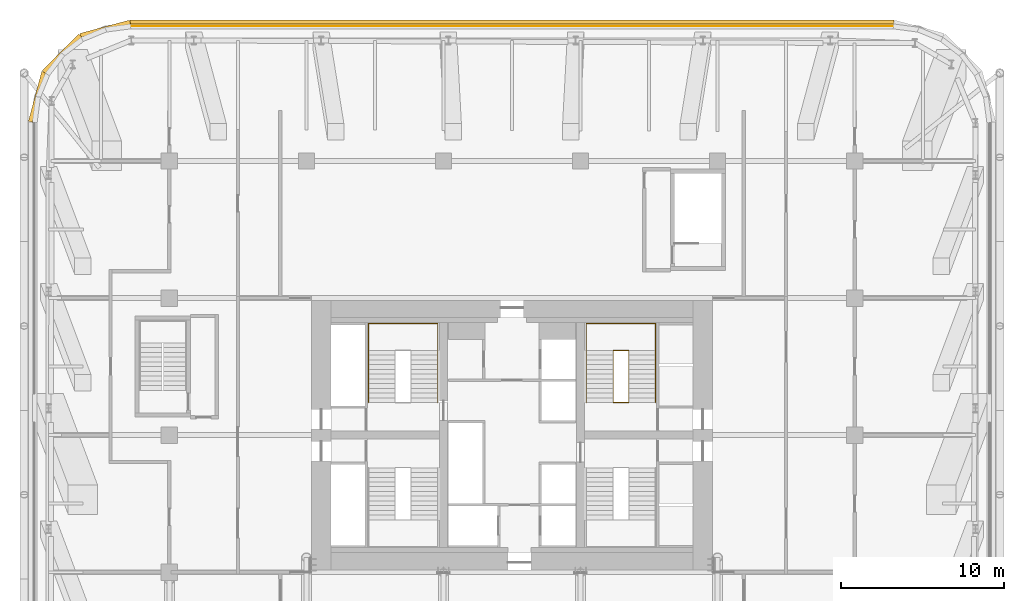
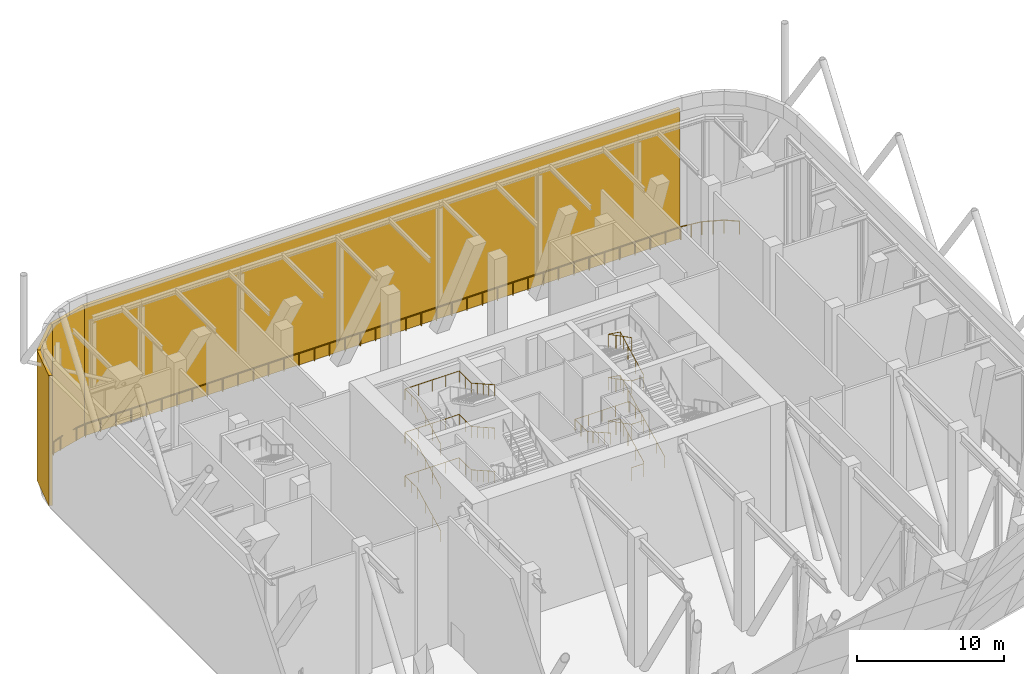
# One storey, part 18 of 19: 8 railings, 4 shading devices.
"""IFC4 building model written with IfcOpenShell, lengths in metres."""

from ifc_helpers import new_model, si_unit, direction, frame, frame_2d, origin, origin_2d, place, context, subcontext, project, spatial, rectangle, circle, extrude, material, layer, layer_set, type_object, element, save


model = new_model("IFC4")

# Units and contexts
model_context = context("Model", 3, precision=1e-05, world=origin(), true_north=direction((0.0, 1.0)))
body_context = subcontext(model_context, "Body", "Model", "MODEL_VIEW")
ifc_project = project(units=[si_unit("LENGTHUNIT", "METRE"), si_unit("AREAUNIT", "SQUARE_METRE"), si_unit("VOLUMEUNIT", "CUBIC_METRE"), si_unit("PLANEANGLEUNIT", "RADIAN"), si_unit("MASSUNIT", "GRAM", prefix="KILO")], contexts=[model_context])

# Site, building, storey
site_placement = place(None, origin())
site = spatial("IfcSite", under=ifc_project, at=site_placement, CompositionType="ELEMENT")
building_placement = place(site_placement, origin())
building = spatial("IfcBuilding", under=site, at=building_placement, Name="Marenta Gate Hotel Tower", CompositionType="ELEMENT")
storey_placement = place(building_placement, frame((0.0, 0.0, 86.89990234375)))
storey = spatial("IfcBuildingStorey", under=building, at=storey_placement, Name="L20", CompositionType="ELEMENT", Elevation=86.89990234375)

# Railings
ifc_material_1 = material(Name="Stainless steel", Category="steel")
railing_type_1 = type_object("IfcRailingType", Name="Core stair handrail 950", PredefinedType="HANDRAIL", material=ifc_material_1)
railing_1_placement = place(storey_placement, frame((-8.800048828125, 10.39990234375, 0.150146484375)))
element("IfcRailing", 1, at=railing_1_placement, inside=storey, type_object=railing_type_1, Name="HR-950 L20-KR-ST2-1", PredefinedType="HANDRAIL", context=body_context, shape_type="SweptSolid", body=[
    extrude(circle(Radius=0.02392578125, at=origin_2d()), frame((0.0, 0.0, 0.92578125), z_axis=(0.0, 0.888239641807, 0.459380385653), x_axis=(-1.0, 0.0, 0.0)), (0.0, 0.0, 1.0), 3.591552734375),
    extrude(circle(Radius=0.02392578125, at=origin_2d()), frame((0.0, 3.190185546875, 2.57568359375), z_axis=(0.0, 1.0, 0.0), x_axis=(-1.0, 0.0, 0.0)), (0.0, 0.0, 1.0), 1.659912109375),
    extrude(circle(Radius=0.02392578125, at=origin_2d()), frame((0.0, 4.85009765625, 2.57568359375), z_axis=(1.0, 0.0, 0.0), x_axis=(0.0, 1.0, 0.0)), (0.0, 0.0, 1.0), 4.25),
    extrude(circle(Radius=0.02392578125, at=origin_2d()), frame((4.25, 4.85009765625, 2.57568359375), z_axis=(0.0, -1.0, 0.0), x_axis=(1.0, 0.0, 0.0)), (0.0, 0.0, 1.0), 1.659912109375),
    extrude(circle(Radius=0.02392578125, at=origin_2d()), frame((4.25, 3.190185546875, 2.57568359375), z_axis=(0.0, -0.870925075533, 0.491415824742), x_axis=(1.0, 0.0, 0.0)), (0.0, 0.0, 1.0), 3.6630859375),
    extrude(circle(Radius=0.02099609375, at=origin_2d()), origin(), (0.0, 0.0, 1.0), 0.90185546875),
    extrude(circle(Radius=0.02099609375, at=origin_2d()), frame((0.0, 1.0634765625, 0.550048828125)), (0.0, 0.0, 1.0), 0.90185546875),
    extrude(circle(Radius=0.02099609375, at=origin_2d()), frame((0.0, 2.126708984375, 1.099853515625)), (0.0, 0.0, 1.0), 0.90185546875),
    extrude(circle(Radius=0.02099609375, at=origin_2d()), frame((0.0, 3.190185546875, 1.64990234375)), (0.0, 0.0, 1.0), 0.90185546875),
    extrude(circle(Radius=0.02099609375, at=origin_2d()), frame((0.0, 4.02001953125, 1.64990234375)), (0.0, 0.0, 1.0), 0.90185546875),
    extrude(circle(Radius=0.02099609375, at=origin_2d()), frame((0.0, 4.85009765625, 1.64990234375)), (0.0, 0.0, 1.0), 0.90185546875),
    extrude(circle(Radius=0.02099609375, at=origin_2d()), frame((1.0625, 4.85009765625, 1.64990234375)), (0.0, 0.0, 1.0), 0.90185546875),
    extrude(circle(Radius=0.02099609375, at=origin_2d()), frame((2.125, 4.85009765625, 1.64990234375)), (0.0, 0.0, 1.0), 0.90185546875),
    extrude(circle(Radius=0.02099609375, at=origin_2d()), frame((3.1875, 4.85009765625, 1.64990234375)), (0.0, 0.0, 1.0), 0.90185546875),
    extrude(circle(Radius=0.02099609375, at=origin_2d()), frame((4.25, 4.85009765625, 1.64990234375)), (0.0, 0.0, 1.0), 0.90185546875),
    extrude(circle(Radius=0.02099609375, at=origin_2d()), frame((4.25, 4.02001953125, 1.64990234375)), (0.0, 0.0, 1.0), 0.90185546875),
    extrude(circle(Radius=0.02099609375, at=origin_2d()), frame((4.25, 3.190185546875, 1.64990234375)), (0.0, 0.0, 1.0), 0.90185546875),
    extrude(circle(Radius=0.02099609375, at=origin_2d()), frame((4.25, 2.392578125, 2.099853515625)), (0.0, 0.0, 1.0), 0.90185546875),
    extrude(circle(Radius=0.02099609375, at=origin_2d()), frame((4.25, 1.59521484375, 2.5498046875)), (0.0, 0.0, 1.0), 0.90185546875),
    extrude(circle(Radius=0.02099609375, at=origin_2d()), frame((4.25, 0.797607421875, 3.0)), (0.0, 0.0, 1.0), 0.90185546875),
    extrude(circle(Radius=0.02099609375, at=origin_2d()), frame((4.25, 0.0, 3.449951171875)), (0.0, 0.0, 1.0), 0.90185546875),
])
railing_2_placement = place(storey_placement, frame((-8.800048828125, 10.39990234375, 3.75)))
element("IfcRailing", 2, at=railing_2_placement, inside=storey, type_object=railing_type_1, Name="HR-950 L20-KR-ST2-3", PredefinedType="HANDRAIL", context=body_context, shape_type="SweptSolid", body=[
    extrude(circle(Radius=0.02392578125, at=origin_2d()), frame((0.0, 0.0, 0.92578125), z_axis=(0.0, 0.888211904222, 0.459434013977), x_axis=(-1.0, 0.0, 0.0)), (0.0, 0.0, 1.0), 3.591796875),
    extrude(circle(Radius=0.02392578125, at=origin_2d()), frame((0.0, 3.190185546875, 2.576171875), z_axis=(0.0, 1.0, 0.0), x_axis=(-1.0, 0.0, 0.0)), (0.0, 0.0, 1.0), 1.659912109375),
    extrude(circle(Radius=0.02392578125, at=origin_2d()), frame((0.0, 4.85009765625, 2.576171875), z_axis=(1.0, 0.0, 0.0), x_axis=(0.0, 1.0, 0.0)), (0.0, 0.0, 1.0), 4.25),
    extrude(circle(Radius=0.02392578125, at=origin_2d()), frame((4.25, 4.85009765625, 2.576171875), z_axis=(0.0, -1.0, 0.0), x_axis=(1.0, 0.0, 0.0)), (0.0, 0.0, 1.0), 1.659912109375),
    extrude(circle(Radius=0.02392578125, at=origin_2d()), frame((4.25, 3.190185546875, 2.576171875), z_axis=(0.0, -0.870925075533, 0.491415824742), x_axis=(1.0, 0.0, 0.0)), (0.0, 0.0, 1.0), 3.6630859375),
    extrude(circle(Radius=0.02099609375, at=origin_2d()), origin(), (0.0, 0.0, 1.0), 0.90185546875),
    extrude(circle(Radius=0.02099609375, at=origin_2d()), frame((0.0, 1.0634765625, 0.550048828125)), (0.0, 0.0, 1.0), 0.90185546875),
    extrude(circle(Radius=0.02099609375, at=origin_2d()), frame((0.0, 2.126708984375, 1.10009765625)), (0.0, 0.0, 1.0), 0.90185546875),
    extrude(circle(Radius=0.02099609375, at=origin_2d()), frame((0.0, 3.190185546875, 1.650146484375)), (0.0, 0.0, 1.0), 0.90185546875),
    extrude(circle(Radius=0.02099609375, at=origin_2d()), frame((0.0, 4.02001953125, 1.650146484375)), (0.0, 0.0, 1.0), 0.90185546875),
    extrude(circle(Radius=0.02099609375, at=origin_2d()), frame((0.0, 4.85009765625, 1.650146484375)), (0.0, 0.0, 1.0), 0.90185546875),
    extrude(circle(Radius=0.02099609375, at=origin_2d()), frame((1.0625, 4.85009765625, 1.650146484375)), (0.0, 0.0, 1.0), 0.90185546875),
    extrude(circle(Radius=0.02099609375, at=origin_2d()), frame((2.125, 4.85009765625, 1.650146484375)), (0.0, 0.0, 1.0), 0.90185546875),
    extrude(circle(Radius=0.02099609375, at=origin_2d()), frame((3.1875, 4.85009765625, 1.650146484375)), (0.0, 0.0, 1.0), 0.90185546875),
    extrude(circle(Radius=0.02099609375, at=origin_2d()), frame((4.25, 4.85009765625, 1.650146484375)), (0.0, 0.0, 1.0), 0.90185546875),
    extrude(circle(Radius=0.02099609375, at=origin_2d()), frame((4.25, 4.02001953125, 1.650146484375)), (0.0, 0.0, 1.0), 0.90185546875),
    extrude(circle(Radius=0.02099609375, at=origin_2d()), frame((4.25, 3.190185546875, 1.650146484375)), (0.0, 0.0, 1.0), 0.90185546875),
    extrude(circle(Radius=0.02099609375, at=origin_2d()), frame((4.25, 2.392578125, 2.10009765625)), (0.0, 0.0, 1.0), 0.90185546875),
    extrude(circle(Radius=0.02099609375, at=origin_2d()), frame((4.25, 1.59521484375, 2.55029296875)), (0.0, 0.0, 1.0), 0.90185546875),
    extrude(circle(Radius=0.02099609375, at=origin_2d()), frame((4.25, 0.797607421875, 3.000244140625)), (0.0, 0.0, 1.0), 0.90185546875),
    extrude(circle(Radius=0.02099609375, at=origin_2d()), frame((4.25, 0.0, 3.4501953125)), (0.0, 0.0, 1.0), 0.90185546875),
])
railing_3_placement = place(storey_placement, frame((-8.800048828125, 10.39990234375, 7.35009765625)))
element("IfcRailing", 3, at=railing_3_placement, inside=storey, type_object=railing_type_1, Name="HR-950 L20-KR-ST2-5", PredefinedType="HANDRAIL", context=body_context, shape_type="SweptSolid", body=[
    extrude(circle(Radius=0.02392578125, at=origin_2d()), frame((0.0, 0.0, 0.92578125), z_axis=(0.0, 0.888239641807, 0.459380385653), x_axis=(-1.0, 0.0, 0.0)), (0.0, 0.0, 1.0), 3.591552734375),
    extrude(circle(Radius=0.02392578125, at=origin_2d()), frame((0.0, 3.190185546875, 2.57568359375), z_axis=(0.0, 1.0, 0.0), x_axis=(-1.0, 0.0, 0.0)), (0.0, 0.0, 1.0), 1.659912109375),
    extrude(circle(Radius=0.02392578125, at=origin_2d()), frame((0.0, 4.85009765625, 2.57568359375), z_axis=(1.0, 0.0, 0.0), x_axis=(0.0, 1.0, 0.0)), (0.0, 0.0, 1.0), 4.25),
    extrude(circle(Radius=0.02392578125, at=origin_2d()), frame((4.25, 4.85009765625, 2.57568359375), z_axis=(0.0, -1.0, 0.0), x_axis=(1.0, 0.0, 0.0)), (0.0, 0.0, 1.0), 1.659912109375),
    extrude(circle(Radius=0.02392578125, at=origin_2d()), frame((4.25, 3.190185546875, 2.57568359375), z_axis=(0.0, -0.870925075533, 0.491415824742), x_axis=(1.0, 0.0, 0.0)), (0.0, 0.0, 1.0), 3.6630859375),
    extrude(circle(Radius=0.02099609375, at=origin_2d()), origin(), (0.0, 0.0, 1.0), 0.90185546875),
    extrude(circle(Radius=0.02099609375, at=origin_2d()), frame((0.0, 1.0634765625, 0.550048828125)), (0.0, 0.0, 1.0), 0.90185546875),
    extrude(circle(Radius=0.02099609375, at=origin_2d()), frame((0.0, 2.126708984375, 1.099853515625)), (0.0, 0.0, 1.0), 0.90185546875),
    extrude(circle(Radius=0.02099609375, at=origin_2d()), frame((0.0, 3.190185546875, 1.64990234375)), (0.0, 0.0, 1.0), 0.90185546875),
    extrude(circle(Radius=0.02099609375, at=origin_2d()), frame((0.0, 4.02001953125, 1.64990234375)), (0.0, 0.0, 1.0), 0.90185546875),
    extrude(circle(Radius=0.02099609375, at=origin_2d()), frame((0.0, 4.85009765625, 1.64990234375)), (0.0, 0.0, 1.0), 0.90185546875),
    extrude(circle(Radius=0.02099609375, at=origin_2d()), frame((1.0625, 4.85009765625, 1.64990234375)), (0.0, 0.0, 1.0), 0.90185546875),
    extrude(circle(Radius=0.02099609375, at=origin_2d()), frame((2.125, 4.85009765625, 1.64990234375)), (0.0, 0.0, 1.0), 0.90185546875),
    extrude(circle(Radius=0.02099609375, at=origin_2d()), frame((3.1875, 4.85009765625, 1.64990234375)), (0.0, 0.0, 1.0), 0.90185546875),
    extrude(circle(Radius=0.02099609375, at=origin_2d()), frame((4.25, 4.85009765625, 1.64990234375)), (0.0, 0.0, 1.0), 0.90185546875),
    extrude(circle(Radius=0.02099609375, at=origin_2d()), frame((4.25, 4.02001953125, 1.64990234375)), (0.0, 0.0, 1.0), 0.90185546875),
    extrude(circle(Radius=0.02099609375, at=origin_2d()), frame((4.25, 3.190185546875, 1.64990234375)), (0.0, 0.0, 1.0), 0.90185546875),
    extrude(circle(Radius=0.02099609375, at=origin_2d()), frame((4.25, 2.392578125, 2.099853515625)), (0.0, 0.0, 1.0), 0.90185546875),
    extrude(circle(Radius=0.02099609375, at=origin_2d()), frame((4.25, 1.59521484375, 2.5498046875)), (0.0, 0.0, 1.0), 0.90185546875),
    extrude(circle(Radius=0.02099609375, at=origin_2d()), frame((4.25, 0.797607421875, 3.0)), (0.0, 0.0, 1.0), 0.90185546875),
    extrude(circle(Radius=0.02099609375, at=origin_2d()), frame((4.25, 0.0, 3.449951171875)), (0.0, 0.0, 1.0), 0.90185546875),
])
railing_4_placement = place(storey_placement, frame((8.800048828125, 10.39990234375, 0.150146484375)))
element("IfcRailing", 4, at=railing_4_placement, inside=storey, type_object=railing_type_1, Name="HR-950 L20-KR-ST4-1", PredefinedType="HANDRAIL", context=body_context, shape_type="SweptSolid", body=[
    extrude(circle(Radius=0.02392578125, at=origin_2d()), frame((0.0, 0.0, 0.92578125), z_axis=(0.0, 0.888239641807, 0.459380385653), x_axis=(-1.0, 0.0, 0.0)), (0.0, 0.0, 1.0), 3.591552734375),
    extrude(circle(Radius=0.02392578125, at=origin_2d()), frame((0.0, 3.190185546875, 2.57568359375), z_axis=(0.0, 1.0, 0.0), x_axis=(-1.0, 0.0, 0.0)), (0.0, 0.0, 1.0), 1.659912109375),
    extrude(circle(Radius=0.02392578125, at=origin_2d()), frame((0.0, 4.85009765625, 2.57568359375), z_axis=(-1.0, 0.0, 0.0), x_axis=(0.0, -1.0, 0.0)), (0.0, 0.0, 1.0), 4.25),
    extrude(circle(Radius=0.02392578125, at=origin_2d()), frame((-4.25, 4.85009765625, 2.57568359375), z_axis=(0.0, -1.0, 0.0), x_axis=(1.0, 0.0, 0.0)), (0.0, 0.0, 1.0), 1.659912109375),
    extrude(circle(Radius=0.02392578125, at=origin_2d()), frame((-4.25, 3.190185546875, 2.57568359375), z_axis=(0.0, -0.870925075533, 0.491415824742), x_axis=(1.0, 0.0, 0.0)), (0.0, 0.0, 1.0), 3.6630859375),
    extrude(circle(Radius=0.02099609375, at=origin_2d()), origin(), (0.0, 0.0, 1.0), 0.90185546875),
    extrude(circle(Radius=0.02099609375, at=origin_2d()), frame((0.0, 1.0634765625, 0.550048828125)), (0.0, 0.0, 1.0), 0.90185546875),
    extrude(circle(Radius=0.02099609375, at=origin_2d()), frame((0.0, 2.126708984375, 1.099853515625)), (0.0, 0.0, 1.0), 0.90185546875),
    extrude(circle(Radius=0.02099609375, at=origin_2d()), frame((0.0, 3.190185546875, 1.64990234375)), (0.0, 0.0, 1.0), 0.90185546875),
    extrude(circle(Radius=0.02099609375, at=origin_2d()), frame((0.0, 4.02001953125, 1.64990234375)), (0.0, 0.0, 1.0), 0.90185546875),
    extrude(circle(Radius=0.02099609375, at=origin_2d()), frame((0.0, 4.85009765625, 1.64990234375)), (0.0, 0.0, 1.0), 0.90185546875),
    extrude(circle(Radius=0.02099609375, at=origin_2d()), frame((-1.0625, 4.85009765625, 1.64990234375)), (0.0, 0.0, 1.0), 0.90185546875),
    extrude(circle(Radius=0.02099609375, at=origin_2d()), frame((-2.125, 4.85009765625, 1.64990234375)), (0.0, 0.0, 1.0), 0.90185546875),
    extrude(circle(Radius=0.02099609375, at=origin_2d()), frame((-3.1875, 4.85009765625, 1.64990234375)), (0.0, 0.0, 1.0), 0.90185546875),
    extrude(circle(Radius=0.02099609375, at=origin_2d()), frame((-4.25, 4.85009765625, 1.64990234375)), (0.0, 0.0, 1.0), 0.90185546875),
    extrude(circle(Radius=0.02099609375, at=origin_2d()), frame((-4.25, 4.02001953125, 1.64990234375)), (0.0, 0.0, 1.0), 0.90185546875),
    extrude(circle(Radius=0.02099609375, at=origin_2d()), frame((-4.25, 3.190185546875, 1.64990234375)), (0.0, 0.0, 1.0), 0.90185546875),
    extrude(circle(Radius=0.02099609375, at=origin_2d()), frame((-4.25, 2.392578125, 2.099853515625)), (0.0, 0.0, 1.0), 0.90185546875),
    extrude(circle(Radius=0.02099609375, at=origin_2d()), frame((-4.25, 1.59521484375, 2.5498046875)), (0.0, 0.0, 1.0), 0.90185546875),
    extrude(circle(Radius=0.02099609375, at=origin_2d()), frame((-4.25, 0.797607421875, 3.0)), (0.0, 0.0, 1.0), 0.90185546875),
    extrude(circle(Radius=0.02099609375, at=origin_2d()), frame((-4.25, 0.0, 3.449951171875)), (0.0, 0.0, 1.0), 0.90185546875),
])
ifc_material_2 = material(Name="Stainless steel", Category="steel")
railing_type_2 = type_object("IfcRailingType", Name="Core stair well guard 1100", PredefinedType="GUARDRAIL", material=ifc_material_2)
railing_5_placement = place(storey_placement, frame((6.199951171875, 10.39990234375, 0.0)))
element("IfcRailing", 5, at=railing_5_placement, inside=storey, type_object=railing_type_2, Name="GR-1100 L20-KR-ST4-2", PredefinedType="GUARDRAIL", context=body_context, shape_type="SweptSolid", body=[
    extrude(circle(Radius=0.02392578125, at=origin_2d()), frame((0.0, 0.0, 1.076171875), z_axis=(1.0, 0.0, 0.0), x_axis=(0.0, 1.0, 0.0)), (0.0, 0.0, 1.0), 0.949951171875),
    extrude(circle(Radius=0.02392578125, at=origin_2d()), frame((0.949951171875, 0.0, 1.076171875), z_axis=(0.0, 0.0, 1.0), x_axis=(1.0, 0.0, 0.0)), (0.0, 0.0, 1.0), 0.150146484375),
    extrude(circle(Radius=0.02392578125, at=origin_2d()), frame((0.949951171875, 0.0, 1.22607421875), z_axis=(0.0, 0.888239641807, 0.459380385653), x_axis=(-1.0, 0.0, 0.0)), (0.0, 0.0, 1.0), 3.591552734375),
    extrude(circle(Radius=0.02392578125, at=origin_2d()), frame((0.949951171875, 3.190185546875, 2.8759765625), z_axis=(-0.987738253826, 0.0, 0.156118999255), x_axis=(0.0, -1.0, 0.0)), (0.0, 0.0, 1.0), 0.961669921875),
    extrude(circle(Radius=0.02392578125, at=origin_2d()), frame((0.0, 3.190185546875, 3.0263671875), z_axis=(0.0, -0.888239641807, 0.459380385653), x_axis=(1.0, 0.0, 0.0)), (0.0, 0.0, 1.0), 3.591552734375),
    extrude(circle(Radius=0.02099609375, at=origin_2d()), origin(), (0.0, 0.0, 1.0), 1.052001953125),
    extrude(circle(Radius=0.02099609375, at=origin_2d()), frame((0.949951171875, 0.0, 0.0)), (0.0, 0.0, 1.0), 1.052001953125),
    extrude(circle(Radius=0.02099609375, at=origin_2d()), frame((0.949951171875, 0.0, 0.150146484375)), (0.0, 0.0, 1.0), 1.052001953125),
    extrude(circle(Radius=0.02099609375, at=origin_2d()), frame((0.949951171875, 1.0634765625, 0.7001953125)), (0.0, 0.0, 1.0), 1.052001953125),
    extrude(circle(Radius=0.02099609375, at=origin_2d()), frame((0.949951171875, 2.126708984375, 1.25)), (0.0, 0.0, 1.0), 1.052001953125),
    extrude(circle(Radius=0.02099609375, at=origin_2d()), frame((0.949951171875, 3.190185546875, 1.800048828125)), (0.0, 0.0, 1.0), 1.052001953125),
    extrude(circle(Radius=0.02099609375, at=origin_2d()), frame((0.0, 3.190185546875, 1.9501953125)), (0.0, 0.0, 1.0), 1.052001953125),
    extrude(circle(Radius=0.02099609375, at=origin_2d()), frame((0.0, 2.126708984375, 2.500244140625)), (0.0, 0.0, 1.0), 1.052001953125),
    extrude(circle(Radius=0.02099609375, at=origin_2d()), frame((0.0, 1.0634765625, 3.050048828125)), (0.0, 0.0, 1.0), 1.052001953125),
    extrude(circle(Radius=0.02099609375, at=origin_2d()), frame((0.0, 0.0, 3.60009765625)), (0.0, 0.0, 1.0), 1.052001953125),
])
railing_6_placement = place(storey_placement, frame((6.199951171875, 10.39990234375, 3.60009765625)))
element("IfcRailing", 6, at=railing_6_placement, inside=storey, type_object=railing_type_2, Name="GR-1100 L20-KR-ST4-4", PredefinedType="GUARDRAIL", context=body_context, shape_type="SweptSolid", body=[
    extrude(circle(Radius=0.02392578125, at=origin_2d()), frame((0.0, 0.0, 1.076171875), z_axis=(1.0, 0.0, 0.0), x_axis=(0.0, 1.0, 0.0)), (0.0, 0.0, 1.0), 0.949951171875),
    extrude(circle(Radius=0.02392578125, at=origin_2d()), frame((0.949951171875, 0.0, 1.076171875), z_axis=(0.0, 0.0, 1.0), x_axis=(1.0, 0.0, 0.0)), (0.0, 0.0, 1.0), 0.14990234375),
    extrude(circle(Radius=0.02392578125, at=origin_2d()), frame((0.949951171875, 0.0, 1.22607421875), z_axis=(0.0, 0.888211904222, 0.459434013977), x_axis=(-1.0, 0.0, 0.0)), (0.0, 0.0, 1.0), 3.591796875),
    extrude(circle(Radius=0.02392578125, at=origin_2d()), frame((0.949951171875, 3.190185546875, 2.8759765625), z_axis=(-0.987777369502, 0.0, 0.15587131968), x_axis=(0.0, -1.0, 0.0)), (0.0, 0.0, 1.0), 0.961669921875),
    extrude(circle(Radius=0.02392578125, at=origin_2d()), frame((0.0, 3.190185546875, 3.02587890625), z_axis=(0.0, -0.888211904222, 0.459434013977), x_axis=(1.0, 0.0, 0.0)), (0.0, 0.0, 1.0), 3.591796875),
    extrude(circle(Radius=0.02099609375, at=origin_2d()), origin(), (0.0, 0.0, 1.0), 1.052001953125),
    extrude(circle(Radius=0.02099609375, at=origin_2d()), frame((0.949951171875, 0.0, 0.0)), (0.0, 0.0, 1.0), 1.052001953125),
    extrude(circle(Radius=0.02099609375, at=origin_2d()), frame((0.949951171875, 0.0, 0.14990234375)), (0.0, 0.0, 1.0), 1.052001953125),
    extrude(circle(Radius=0.02099609375, at=origin_2d()), frame((0.949951171875, 1.0634765625, 0.699951171875)), (0.0, 0.0, 1.0), 1.052001953125),
    extrude(circle(Radius=0.02099609375, at=origin_2d()), frame((0.949951171875, 2.126708984375, 1.25)), (0.0, 0.0, 1.0), 1.052001953125),
    extrude(circle(Radius=0.02099609375, at=origin_2d()), frame((0.949951171875, 3.190185546875, 1.800048828125)), (0.0, 0.0, 1.0), 1.052001953125),
    extrude(circle(Radius=0.02099609375, at=origin_2d()), frame((0.0, 3.190185546875, 1.949951171875)), (0.0, 0.0, 1.0), 1.052001953125),
    extrude(circle(Radius=0.02099609375, at=origin_2d()), frame((0.0, 2.126708984375, 2.5)), (0.0, 0.0, 1.0), 1.052001953125),
    extrude(circle(Radius=0.02099609375, at=origin_2d()), frame((0.0, 1.0634765625, 3.050048828125)), (0.0, 0.0, 1.0), 1.052001953125),
    extrude(circle(Radius=0.02099609375, at=origin_2d()), frame((0.0, 0.0, 3.60009765625)), (0.0, 0.0, 1.0), 1.052001953125),
])
railing_7_placement = place(storey_placement, frame((6.199951171875, 10.39990234375, 7.2001953125)))
element("IfcRailing", 7, at=railing_7_placement, inside=storey, type_object=railing_type_2, Name="GR-1100 L20-KR-ST4-6", PredefinedType="GUARDRAIL", context=body_context, shape_type="SweptSolid", body=[
    extrude(circle(Radius=0.02392578125, at=origin_2d()), frame((0.0, 0.0, 1.076171875), z_axis=(1.0, 0.0, 0.0), x_axis=(0.0, 1.0, 0.0)), (0.0, 0.0, 1.0), 0.949951171875),
    extrude(circle(Radius=0.02392578125, at=origin_2d()), frame((0.949951171875, 0.0, 1.076171875), z_axis=(0.0, 0.0, 1.0), x_axis=(1.0, 0.0, 0.0)), (0.0, 0.0, 1.0), 0.14990234375),
    extrude(circle(Radius=0.02392578125, at=origin_2d()), frame((0.949951171875, 0.0, 1.22607421875), z_axis=(0.0, 0.888239641807, 0.459380385653), x_axis=(-1.0, 0.0, 0.0)), (0.0, 0.0, 1.0), 3.591552734375),
    extrude(circle(Radius=0.02392578125, at=origin_2d()), frame((0.949951171875, 3.190185546875, 2.8759765625), z_axis=(-0.987738253826, 0.0, 0.156118999255), x_axis=(0.0, -1.0, 0.0)), (0.0, 0.0, 1.0), 0.961669921875),
    extrude(circle(Radius=0.02392578125, at=origin_2d()), frame((0.0, 3.190185546875, 3.02587890625), z_axis=(0.0, -0.888239641807, 0.459380385653), x_axis=(1.0, 0.0, 0.0)), (0.0, 0.0, 1.0), 3.591552734375),
    extrude(circle(Radius=0.02099609375, at=origin_2d()), origin(), (0.0, 0.0, 1.0), 1.052001953125),
    extrude(circle(Radius=0.02099609375, at=origin_2d()), frame((0.949951171875, 0.0, 0.0)), (0.0, 0.0, 1.0), 1.052001953125),
    extrude(circle(Radius=0.02099609375, at=origin_2d()), frame((0.949951171875, 0.0, 0.14990234375)), (0.0, 0.0, 1.0), 1.052001953125),
    extrude(circle(Radius=0.02099609375, at=origin_2d()), frame((0.949951171875, 1.0634765625, 0.699951171875)), (0.0, 0.0, 1.0), 1.052001953125),
    extrude(circle(Radius=0.02099609375, at=origin_2d()), frame((0.949951171875, 2.126708984375, 1.249755859375)), (0.0, 0.0, 1.0), 1.052001953125),
    extrude(circle(Radius=0.02099609375, at=origin_2d()), frame((0.949951171875, 3.190185546875, 1.7998046875)), (0.0, 0.0, 1.0), 1.052001953125),
    extrude(circle(Radius=0.02099609375, at=origin_2d()), frame((0.0, 3.190185546875, 1.949951171875)), (0.0, 0.0, 1.0), 1.052001953125),
    extrude(circle(Radius=0.02099609375, at=origin_2d()), frame((0.0, 2.126708984375, 2.5)), (0.0, 0.0, 1.0), 1.052001953125),
    extrude(circle(Radius=0.02099609375, at=origin_2d()), frame((0.0, 1.0634765625, 3.0498046875)), (0.0, 0.0, 1.0), 1.052001953125),
    extrude(circle(Radius=0.02099609375, at=origin_2d()), frame((0.0, 0.0, 3.599853515625)), (0.0, 0.0, 1.0), 1.052001953125),
])
ifc_material_3 = material(Name="Stainless steel", Category="steel")
railing_type_3 = type_object("IfcRailingType", Name="Guard 1100 stainless balustrade", PredefinedType="GUARDRAIL", material=ifc_material_3)
railing_8_placement = place(storey_placement, frame((-27.168212890625, 32.055419921875, 0.0)))
element("IfcRailing", 8, at=railing_8_placement, inside=storey, type_object=railing_type_3, Name="Guard", PredefinedType="GUARDRAIL", context=body_context, shape_type="SweptSolid", body=[
    extrude(circle(Radius=0.02392578125, at=origin_2d()), frame((0.0, 0.0, 1.076171875), z_axis=(0.793275196317, 0.608863254687, 0.0), x_axis=(-0.608863254687, 0.793275196317, 0.0)), (0.0, 0.0, 1.0), 1.04443359375),
    extrude(circle(Radius=0.02392578125, at=origin_2d()), frame((0.82861328125, 0.635986328125, 1.076171875), z_axis=(0.923865605463, 0.382717053503, 0.0), x_axis=(-0.382717053503, 0.923865605463, 0.0)), (0.0, 0.0, 1.0), 1.534912109375),
    extrude(circle(Radius=0.02392578125, at=origin_2d()), frame((2.24658203125, 1.223388671875, 1.076171875), z_axis=(0.991461296504, 0.130401294225, 0.0), x_axis=(-0.130401294225, 0.991461296504, 0.0)), (0.0, 0.0, 1.0), 1.542724609375),
    extrude(circle(Radius=0.02392578125, at=origin_2d()), frame((3.776123046875, 1.424560546875, 1.076171875), z_axis=(1.0, 0.0, 0.0), x_axis=(0.0, 1.0, 0.0)), (0.0, 0.0, 1.0), 46.7841796875),
    extrude(circle(Radius=0.02392578125, at=origin_2d()), frame((50.560302734375, 1.424560546875, 1.076171875), z_axis=(0.991461296504, -0.130401294225, 0.0), x_axis=(0.130401294225, 0.991461296504, 0.0)), (0.0, 0.0, 1.0), 1.542724609375),
    extrude(circle(Radius=0.02392578125, at=origin_2d()), frame((52.08984375, 1.223388671875, 1.076171875), z_axis=(0.923865605463, -0.382717053503, 0.0), x_axis=(0.382717053503, 0.923865605463, 0.0)), (0.0, 0.0, 1.0), 1.534912109375),
    extrude(circle(Radius=0.02392578125, at=origin_2d()), frame((53.5078125, 0.635986328125, 1.076171875), z_axis=(0.793275196317, -0.608863254687, 0.0), x_axis=(0.608863254687, 0.793275196317, 0.0)), (0.0, 0.0, 1.0), 1.04443359375),
    extrude(circle(Radius=0.02099609375, at=origin_2d()), origin(), (0.0, 0.0, 1.0), 1.052001953125),
    extrude(circle(Radius=0.02099609375, at=origin_2d()), frame((0.82861328125, 0.635986328125, 0.0)), (0.0, 0.0, 1.0), 1.052001953125),
    extrude(circle(Radius=0.02099609375, at=origin_2d()), frame((1.53759765625, 0.9296875, 0.0)), (0.0, 0.0, 1.0), 1.052001953125),
    extrude(circle(Radius=0.02099609375, at=origin_2d()), frame((2.24658203125, 1.223388671875, 0.0)), (0.0, 0.0, 1.0), 1.052001953125),
    extrude(circle(Radius=0.02099609375, at=origin_2d()), frame((3.01123046875, 1.323974609375, 0.0)), (0.0, 0.0, 1.0), 1.052001953125),
    extrude(circle(Radius=0.02099609375, at=origin_2d()), frame((3.776123046875, 1.424560546875, 0.0)), (0.0, 0.0, 1.0), 1.052001953125),
    extrude(circle(Radius=0.02099609375, at=origin_2d()), frame((4.975830078125, 1.424560546875, 0.0)), (0.0, 0.0, 1.0), 1.052001953125),
    extrude(circle(Radius=0.02099609375, at=origin_2d()), frame((6.17529296875, 1.424560546875, 0.0)), (0.0, 0.0, 1.0), 1.052001953125),
    extrude(circle(Radius=0.02099609375, at=origin_2d()), frame((7.375, 1.424560546875, 0.0)), (0.0, 0.0, 1.0), 1.052001953125),
    extrude(circle(Radius=0.02099609375, at=origin_2d()), frame((8.574462890625, 1.424560546875, 0.0)), (0.0, 0.0, 1.0), 1.052001953125),
    extrude(circle(Radius=0.02099609375, at=origin_2d()), frame((9.774169921875, 1.424560546875, 0.0)), (0.0, 0.0, 1.0), 1.052001953125),
    extrude(circle(Radius=0.02099609375, at=origin_2d()), frame((10.9736328125, 1.424560546875, 0.0)), (0.0, 0.0, 1.0), 1.052001953125),
    extrude(circle(Radius=0.02099609375, at=origin_2d()), frame((12.17333984375, 1.424560546875, 0.0)), (0.0, 0.0, 1.0), 1.052001953125),
    extrude(circle(Radius=0.02099609375, at=origin_2d()), frame((13.372802734375, 1.424560546875, 0.0)), (0.0, 0.0, 1.0), 1.052001953125),
    extrude(circle(Radius=0.02099609375, at=origin_2d()), frame((14.572509765625, 1.424560546875, 0.0)), (0.0, 0.0, 1.0), 1.052001953125),
    extrude(circle(Radius=0.02099609375, at=origin_2d()), frame((15.77197265625, 1.424560546875, 0.0)), (0.0, 0.0, 1.0), 1.052001953125),
    extrude(circle(Radius=0.02099609375, at=origin_2d()), frame((16.9716796875, 1.424560546875, 0.0)), (0.0, 0.0, 1.0), 1.052001953125),
    extrude(circle(Radius=0.02099609375, at=origin_2d()), frame((18.171142578125, 1.424560546875, 0.0)), (0.0, 0.0, 1.0), 1.052001953125),
    extrude(circle(Radius=0.02099609375, at=origin_2d()), frame((19.370849609375, 1.424560546875, 0.0)), (0.0, 0.0, 1.0), 1.052001953125),
    extrude(circle(Radius=0.02099609375, at=origin_2d()), frame((20.570556640625, 1.424560546875, 0.0)), (0.0, 0.0, 1.0), 1.052001953125),
    extrude(circle(Radius=0.02099609375, at=origin_2d()), frame((21.77001953125, 1.424560546875, 0.0)), (0.0, 0.0, 1.0), 1.052001953125),
    extrude(circle(Radius=0.02099609375, at=origin_2d()), frame((22.9697265625, 1.424560546875, 0.0)), (0.0, 0.0, 1.0), 1.052001953125),
    extrude(circle(Radius=0.02099609375, at=origin_2d()), frame((24.169189453125, 1.424560546875, 0.0)), (0.0, 0.0, 1.0), 1.052001953125),
    extrude(circle(Radius=0.02099609375, at=origin_2d()), frame((25.368896484375, 1.424560546875, 0.0)), (0.0, 0.0, 1.0), 1.052001953125),
    extrude(circle(Radius=0.02099609375, at=origin_2d()), frame((26.568359375, 1.424560546875, 0.0)), (0.0, 0.0, 1.0), 1.052001953125),
    extrude(circle(Radius=0.02099609375, at=origin_2d()), frame((27.76806640625, 1.424560546875, 0.0)), (0.0, 0.0, 1.0), 1.052001953125),
    extrude(circle(Radius=0.02099609375, at=origin_2d()), frame((28.967529296875, 1.424560546875, 0.0)), (0.0, 0.0, 1.0), 1.052001953125),
    extrude(circle(Radius=0.02099609375, at=origin_2d()), frame((30.167236328125, 1.424560546875, 0.0)), (0.0, 0.0, 1.0), 1.052001953125),
    extrude(circle(Radius=0.02099609375, at=origin_2d()), frame((31.36669921875, 1.424560546875, 0.0)), (0.0, 0.0, 1.0), 1.052001953125),
    extrude(circle(Radius=0.02099609375, at=origin_2d()), frame((32.56640625, 1.424560546875, 0.0)), (0.0, 0.0, 1.0), 1.052001953125),
    extrude(circle(Radius=0.02099609375, at=origin_2d()), frame((33.765869140625, 1.424560546875, 0.0)), (0.0, 0.0, 1.0), 1.052001953125),
    extrude(circle(Radius=0.02099609375, at=origin_2d()), frame((34.965576171875, 1.424560546875, 0.0)), (0.0, 0.0, 1.0), 1.052001953125),
    extrude(circle(Radius=0.02099609375, at=origin_2d()), frame((36.165283203125, 1.424560546875, 0.0)), (0.0, 0.0, 1.0), 1.052001953125),
    extrude(circle(Radius=0.02099609375, at=origin_2d()), frame((37.36474609375, 1.424560546875, 0.0)), (0.0, 0.0, 1.0), 1.052001953125),
    extrude(circle(Radius=0.02099609375, at=origin_2d()), frame((38.564453125, 1.424560546875, 0.0)), (0.0, 0.0, 1.0), 1.052001953125),
    extrude(circle(Radius=0.02099609375, at=origin_2d()), frame((39.763916015625, 1.424560546875, 0.0)), (0.0, 0.0, 1.0), 1.052001953125),
    extrude(circle(Radius=0.02099609375, at=origin_2d()), frame((40.963623046875, 1.424560546875, 0.0)), (0.0, 0.0, 1.0), 1.052001953125),
    extrude(circle(Radius=0.02099609375, at=origin_2d()), frame((42.1630859375, 1.424560546875, 0.0)), (0.0, 0.0, 1.0), 1.052001953125),
    extrude(circle(Radius=0.02099609375, at=origin_2d()), frame((43.36279296875, 1.424560546875, 0.0)), (0.0, 0.0, 1.0), 1.052001953125),
    extrude(circle(Radius=0.02099609375, at=origin_2d()), frame((44.562255859375, 1.424560546875, 0.0)), (0.0, 0.0, 1.0), 1.052001953125),
    extrude(circle(Radius=0.02099609375, at=origin_2d()), frame((45.761962890625, 1.424560546875, 0.0)), (0.0, 0.0, 1.0), 1.052001953125),
    extrude(circle(Radius=0.02099609375, at=origin_2d()), frame((46.96142578125, 1.424560546875, 0.0)), (0.0, 0.0, 1.0), 1.052001953125),
    extrude(circle(Radius=0.02099609375, at=origin_2d()), frame((48.1611328125, 1.424560546875, 0.0)), (0.0, 0.0, 1.0), 1.052001953125),
    extrude(circle(Radius=0.02099609375, at=origin_2d()), frame((49.360595703125, 1.424560546875, 0.0)), (0.0, 0.0, 1.0), 1.052001953125),
    extrude(circle(Radius=0.02099609375, at=origin_2d()), frame((50.560302734375, 1.424560546875, 0.0)), (0.0, 0.0, 1.0), 1.052001953125),
    extrude(circle(Radius=0.02099609375, at=origin_2d()), frame((51.3251953125, 1.323974609375, 0.0)), (0.0, 0.0, 1.0), 1.052001953125),
    extrude(circle(Radius=0.02099609375, at=origin_2d()), frame((52.08984375, 1.223388671875, 0.0)), (0.0, 0.0, 1.0), 1.052001953125),
    extrude(circle(Radius=0.02099609375, at=origin_2d()), frame((52.798828125, 0.9296875, 0.0)), (0.0, 0.0, 1.0), 1.052001953125),
    extrude(circle(Radius=0.02099609375, at=origin_2d()), frame((53.5078125, 0.635986328125, 0.0)), (0.0, 0.0, 1.0), 1.052001953125),
    extrude(circle(Radius=0.02099609375, at=origin_2d()), frame((54.33642578125, 0.0, 0.0)), (0.0, 0.0, 1.0), 1.052001953125),
])

# Shading devices
ifc_material_4 = material(Name="Bronze anodised aluminium louvre", Category="aluminium")
ifc_layer = layer(ifc_material_4, 0.25)
ifc_layer_set = layer_set([ifc_layer], Name="Bronze anodised aluminium louvre")
shading_device_type = type_object("IfcShadingDeviceType", Name="Louvred plant screen 250 mm", PredefinedType="JALOUSIE", material=ifc_layer_set)
shading_device_1_placement = place(storey_placement, frame((23.40771484375, 33.7197265625, 0.0), z_axis=(0.0, 0.0, 1.0), x_axis=(-1.0, 0.0, 0.0)))
element("IfcShadingDevice", 9, at=shading_device_1_placement, inside=storey, type_object=shading_device_type, Name="Louvred plant screen", PredefinedType="JALOUSIE", context=body_context, shape_type="SweptSolid", body=[
    extrude(rectangle(XDim=46.8154296875, YDim=0.25, at=frame_2d((23.40771484375, 0.0))), origin(), (0.0, 0.0, 1.0), 10.800048828125),
])
shading_device_2_placement = place(storey_placement, frame((-23.40771484375, 33.7197265625, 0.0), z_axis=(0.0, 0.0, 1.0), x_axis=(-0.965788586245, -0.259330689812, 0.0)))
element("IfcShadingDevice", 10, at=shading_device_2_placement, inside=storey, type_object=shading_device_type, Name="Louvred plant screen", PredefinedType="JALOUSIE", context=body_context, shape_type="SweptSolid", body=[
    extrude(rectangle(XDim=3.160400390625, YDim=0.25, at=frame_2d((1.580078125, 0.0))), origin(), (0.0, 0.0, 1.0), 10.800048828125),
])
shading_device_3_placement = place(storey_placement, frame((-26.4599609375, 32.900146484375, 0.0), z_axis=(0.0, 0.0, 1.0), x_axis=(-0.707106781187, -0.707106781187, 0.0)))
element("IfcShadingDevice", 11, at=shading_device_3_placement, inside=storey, type_object=shading_device_type, Name="Louvred plant screen", PredefinedType="JALOUSIE", context=body_context, shape_type="SweptSolid", body=[
    extrude(rectangle(XDim=3.168212890625, YDim=0.25, at=frame_2d((1.583984375, 0.0))), origin(), (0.0, 0.0, 1.0), 10.800048828125),
])
shading_device_4_placement = place(storey_placement, frame((-28.7001953125, 30.659912109375, 0.0), z_axis=(0.0, 0.0, 1.0), x_axis=(-0.259350039314, -0.965783390367, 0.0)))
element("IfcShadingDevice", 12, at=shading_device_4_placement, inside=storey, type_object=shading_device_type, Name="Louvred plant screen", PredefinedType="JALOUSIE", context=body_context, shape_type="SweptSolid", body=[
    extrude(rectangle(XDim=3.16015625, YDim=0.25, at=frame_2d((1.580078125, 0.0))), origin(), (0.0, 0.0, 1.0), 10.800048828125),
])

save(model, "model.ifc")
